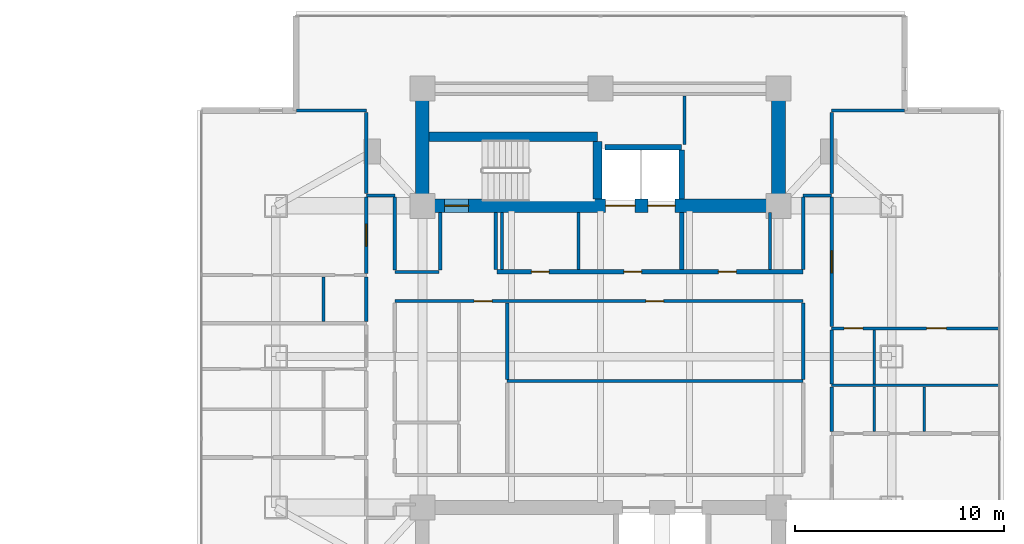
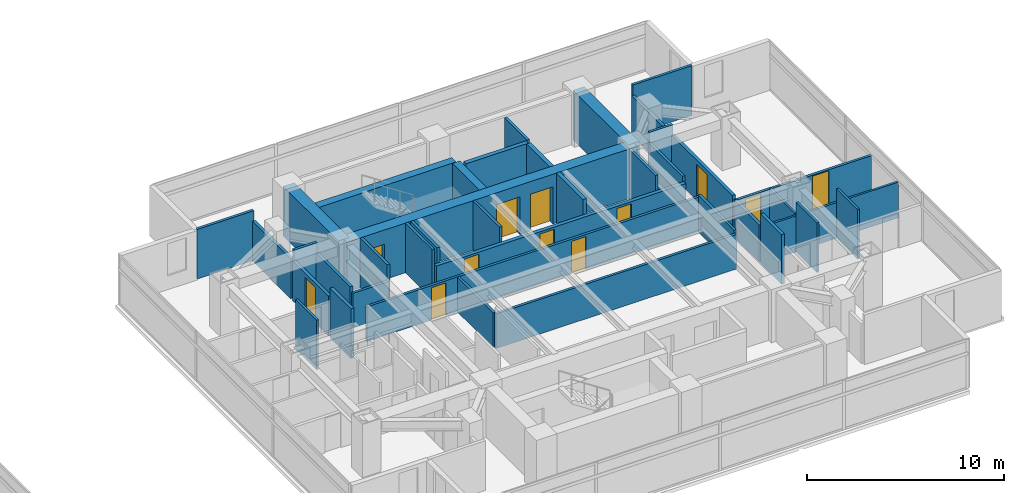
# One storey, part 19 of 26: 39 walls, 12 doors, 12 openings.
"""IFC4 building model written with IfcOpenShell, lengths in metres."""

from ifc_helpers import new_model, si_unit, direction, frame, frame_2d, origin, place, context, subcontext, project, spatial, rectangle, extrude, material, layer, layer_set, type_object, element, fill, save


model = new_model("IFC4")

# Units and contexts
model_context = context("Model", 3, precision=1e-05, world=origin(), true_north=direction((0.0, 1.0)))
body_context = subcontext(model_context, "Body", "Model", "MODEL_VIEW")
ifc_project = project(units=[si_unit("LENGTHUNIT", "METRE"), si_unit("AREAUNIT", "SQUARE_METRE"), si_unit("VOLUMEUNIT", "CUBIC_METRE"), si_unit("PLANEANGLEUNIT", "RADIAN"), si_unit("MASSUNIT", "GRAM", prefix="KILO")], contexts=[model_context])

# Site, building, storey
site_placement = place(None, origin())
site = spatial("IfcSite", under=ifc_project, at=site_placement, CompositionType="ELEMENT")
building_placement = place(site_placement, origin())
building = spatial("IfcBuilding", under=site, at=building_placement, Name="Mirazonda Arch Towers", CompositionType="ELEMENT")
storey_placement = place(building_placement, frame((0.0, 0.0, 114.800048828125)))
storey = spatial("IfcBuildingStorey", under=building, at=storey_placement, Name="L32", CompositionType="ELEMENT", Elevation=114.800048828125)

# Walls
ifc_material_1 = material(Name="Concrete C50/60", Category="concrete")
ifc_layer_1 = layer(ifc_material_1, 0.449951171875, Name="WALL-CORE-450")
ifc_layer_set_1 = layer_set([ifc_layer_1], Name="Concrete C50/60")
wall_type_1 = type_object("IfcWallType", Name="WALL-CORE-450", PredefinedType="SHEAR", material=ifc_layer_set_1)
wall_1_placement = place(storey_placement, frame((68.320068359375, 38.5, 0.0), z_axis=(0.0, 0.0, 1.0), x_axis=(1.0, 0.0, 0.0)))
element("IfcWall", 1, at=wall_1_placement, inside=storey, type_object=wall_type_1, Name="L32 Stair Core Shear Wall 057", PredefinedType="SHEAR", context=body_context, shape_type="SweptSolid", body=[
    extrude(rectangle(XDim=8.0400390625, YDim=0.449951171875, at=frame_2d((4.02001953125, 0.0))), origin(), (0.0, 0.0, 1.0), 3.079833984375),
])
wall_2_placement = place(storey_placement, frame((76.360107421875, 35.52001953125, 0.0), z_axis=(0.0, 0.0, 1.0), x_axis=(0.0, 1.0, 0.0)))
element("IfcWall", 2, at=wall_2_placement, inside=storey, type_object=wall_type_1, Name="L32 Stair Core Shear Wall 146", PredefinedType="SHEAR", context=body_context, shape_type="SweptSolid", body=[
    extrude(rectangle(XDim=2.744873046875, YDim=0.449951171875, at=frame_2d((1.37255859375, 0.0))), origin(), (0.0, 0.0, 1.0), 3.079833984375),
])
ifc_material_2 = material(Name="Concrete C60/75", Category="concrete")
ifc_layer_2 = layer(ifc_material_2, 0.64990234375, Name="WALL-CORE-650")
ifc_layer_set_2 = layer_set([ifc_layer_2], Name="Concrete C60/75")
wall_type_2 = type_object("IfcWallType", Name="WALL-CORE-650", PredefinedType="SHEAR", material=ifc_layer_set_2)
for number, where, z_axis, x_axis, name in (
    (3, (68.0, 35.199951171875, 0.0), (0.0, 0.0, 1.0), (0.0, 1.0, 0.0), "L32 T2N-W Core Shear Wall"),
    (4, (85.0, 35.199951171875, 0.0), (0.0, 0.0, 1.0), (0.0, 1.0, 0.0), "L32 T2N-E Core Shear Wall"),
):
    element("IfcWall", number, at=place(storey_placement, frame(where, z_axis=z_axis, x_axis=x_axis)), inside=storey, type_object=wall_type_2, Name=name, PredefinedType="SHEAR", context=body_context, shape_type="SweptSolid", body=[
        extrude(rectangle(XDim=5.60009765625, YDim=0.64990234375, at=frame_2d((2.800048828125, 0.0))), origin(), (0.0, 0.0, 1.0), 3.079833984375),
    ])

# Wall, openings, doors
wall_3_placement = place(storey_placement, frame((68.0, 35.199951171875, 0.0), z_axis=(0.0, 0.0, 1.0), x_axis=(1.0, 0.0, 0.0)))
wall_3 = element("IfcWall", 5, at=wall_3_placement, inside=storey, type_object=wall_type_2, Name="L32 T2N-S Core Shear Wall", PredefinedType="SHEAR", context=body_context, shape_type="SweptSolid", body=[
    extrude(rectangle(XDim=17.0, YDim=0.64990234375, at=frame_2d((8.5, 0.0))), origin(), (0.0, 0.0, 1.0), 3.079833984375),
])
opening_1_placement = place(wall_3_placement, frame((1.06005859375, 0.0, 0.0)))
opening_1 = element("IfcOpeningElement", 6, at=opening_1_placement, cuts=wall_3, Name="Opening DR-135", PredefinedType="OPENING", context=body_context, shape_type="SweptSolid", body=[
    extrude(rectangle(XDim=1.14990234375, YDim=2.199951171875, at=frame_2d((0.574951171875, 1.10009765625))), frame((0.0, 0.3349609375, 0.0), z_axis=(0.0, -1.0, 0.0), x_axis=(1.0, 0.0, 0.0)), (0.0, 0.0, 1.0), 0.669921875),
])
opening_2_placement = place(wall_3_placement, frame((8.75, 0.0, 0.0)))
opening_2 = element("IfcOpeningElement", 7, at=opening_2_placement, cuts=wall_3, Name="Opening LD-112", PredefinedType="OPENING", context=body_context, shape_type="SweptSolid", body=[
    extrude(rectangle(XDim=1.39990234375, YDim=2.35009765625, at=frame_2d((0.699951171875, 1.175048828125))), frame((0.0, 0.3349609375, 0.0), z_axis=(0.0, -1.0, 0.0), x_axis=(1.0, 0.0, 0.0)), (0.0, 0.0, 1.0), 0.669921875),
])
opening_3_placement = place(wall_3_placement, frame((10.77001953125, 0.0, 0.0)))
opening_3 = element("IfcOpeningElement", 8, at=opening_3_placement, cuts=wall_3, Name="Opening LD-111", PredefinedType="OPENING", context=body_context, shape_type="SweptSolid", body=[
    extrude(rectangle(XDim=1.300048828125, YDim=2.300048828125, at=frame_2d((0.64990234375, 1.14990234375))), frame((0.0, 0.3349609375, 0.0), z_axis=(0.0, -1.0, 0.0), x_axis=(1.0, 0.0, 0.0)), (0.0, 0.0, 1.0), 0.669921875),
])
ifc_material_3 = material(Name="Architectural Brushed Steel S355", Category="steel")
door_type_1 = type_object("IfcDoorType", Name="DOOR-LIFT-FFL-1400", OperationType="NOTDEFINED", PredefinedType="DOOR", material=ifc_material_3)
door_1_placement = place(opening_2_placement, origin())
door_1 = element("IfcDoor", 9, at=door_1_placement, inside=storey, type_object=door_type_1, Name="L32 Lift Landing Sliding Door FFL-T2", OperationType="DOUBLE_DOOR_SLIDING", OverallHeight=2.35009765625, OverallWidth=1.39990234375, PredefinedType="DOOR", context=body_context, shape_type="SweptSolid", body=[
    extrude(rectangle(XDim=1.39990234375, YDim=2.35009765625, at=frame_2d((0.699951171875, 1.175048828125))), frame((0.0, 0.02490234375, 0.0), z_axis=(0.0, -1.0, 0.0), x_axis=(1.0, 0.0, 0.0)), (0.0, 0.0, 1.0), 0.050048828125),
])
fill(opening_2, door_1)
door_type_2 = type_object("IfcDoorType", Name="DOOR-LIFT-LAND-1300", OperationType="NOTDEFINED", PredefinedType="DOOR", material=ifc_material_3)
door_2_placement = place(opening_3_placement, origin())
door_2 = element("IfcDoor", 10, at=door_2_placement, inside=storey, type_object=door_type_2, Name="L32 Lift Landing Sliding Door SVL-T2", OperationType="DOUBLE_DOOR_SLIDING", OverallHeight=2.300048828125, OverallWidth=1.300048828125, PredefinedType="DOOR", context=body_context, shape_type="SweptSolid", body=[
    extrude(rectangle(XDim=1.300048828125, YDim=2.300048828125, at=frame_2d((0.64990234375, 1.14990234375))), frame((0.0, 0.02490234375, 0.0), z_axis=(0.0, -1.0, 0.0), x_axis=(1.0, 0.0, 0.0)), (0.0, 0.0, 1.0), 0.050048828125),
])
fill(opening_3, door_2)
door_type_3 = type_object("IfcDoorType", Name="DOOR-STAIR-FD90-1150", OperationType="NOTDEFINED", PredefinedType="DOOR", material=ifc_material_3)
door_3_placement = place(opening_1_placement, origin())
door_3 = element("IfcDoor", 11, at=door_3_placement, inside=storey, type_object=door_type_3, Name="L32 East Protected Stair North Door", OperationType="SINGLE_SWING_LEFT", OverallHeight=2.199951171875, OverallWidth=1.14990234375, PredefinedType="DOOR", context=body_context, shape_type="SweptSolid", body=[
    extrude(rectangle(XDim=1.14990234375, YDim=2.199951171875, at=frame_2d((0.574951171875, 1.10009765625))), frame((0.0, 0.02490234375, 0.0), z_axis=(0.0, -1.0, 0.0), x_axis=(1.0, 0.0, 0.0)), (0.0, 0.0, 1.0), 0.050048828125),
])
fill(opening_1, door_3)

ifc_material_4 = material(Name="Concrete C40/50", Category="concrete")
ifc_layer_3 = layer(ifc_material_4, 0.219970703125, Name="WALL-FFL-220")
ifc_layer_set_3 = layer_set([ifc_layer_3], Name="Concrete C40/50")
wall_type_3 = type_object("IfcWallType", Name="WALL-FFL-220", PredefinedType="SOLIDWALL", material=ifc_layer_set_3)
wall_4_placement = place(storey_placement, frame((71.550048828125, 32.050048828125, 0.0), z_axis=(0.0, 0.0, 1.0), x_axis=(1.0, 0.0, 0.0)))
wall_4 = element("IfcWall", 12, at=wall_4_placement, inside=storey, type_object=wall_type_3, Name="L32 Interior Partition 046", PredefinedType="SOLIDWALL", context=body_context, shape_type="SweptSolid", body=[
    extrude(rectangle(XDim=14.6298828125, YDim=0.219970703125, at=frame_2d((7.31494140625, 0.0))), origin(), (0.0, 0.0, 1.0), 2.14501953125),
])
opening_4_placement = place(wall_4_placement, frame((6.06494140625, 0.0, 0.0)))
opening_4 = element("IfcOpeningElement", 13, at=opening_4_placement, cuts=wall_4, Name="Opening DR-128", PredefinedType="OPENING", context=body_context, shape_type="SweptSolid", body=[
    extrude(rectangle(XDim=0.85009765625, YDim=2.010009765625, at=frame_2d((0.425048828125, 1.0048828125))), frame((0.0, 0.119873046875, 0.0), z_axis=(0.0, -1.0, 0.0), x_axis=(1.0, 0.0, 0.0)), (0.0, 0.0, 1.0), 0.239990234375),
])
opening_5_placement = place(wall_4_placement, frame((10.5849609375, 0.0, 0.0)))
opening_5 = element("IfcOpeningElement", 14, at=opening_5_placement, cuts=wall_4, Name="Opening DR-128", PredefinedType="OPENING", context=body_context, shape_type="SweptSolid", body=[
    extrude(rectangle(XDim=0.85009765625, YDim=2.010009765625, at=frame_2d((0.425048828125, 1.0048828125))), frame((0.0, 0.119873046875, 0.0), z_axis=(0.0, -1.0, 0.0), x_axis=(1.0, 0.0, 0.0)), (0.0, 0.0, 1.0), 0.239990234375),
])
opening_6_placement = place(wall_4_placement, frame((1.64990234375, 0.0, 0.0)))
opening_6 = element("IfcOpeningElement", 15, at=opening_6_placement, cuts=wall_4, Name="Opening DR-128", PredefinedType="OPENING", context=body_context, shape_type="SweptSolid", body=[
    extrude(rectangle(XDim=0.85009765625, YDim=2.010009765625, at=frame_2d((0.425048828125, 1.0048828125))), frame((0.0, 0.119873046875, 0.0), z_axis=(0.0, -1.0, 0.0), x_axis=(1.0, 0.0, 0.0)), (0.0, 0.0, 1.0), 0.239990234375),
])
door_type_4 = type_object("IfcDoorType", Name="DOOR-RISER-FD60-850", OperationType="NOTDEFINED", PredefinedType="DOOR", material=ifc_material_3)
door_4_placement = place(opening_4_placement, origin())
door_4 = element("IfcDoor", 16, at=door_4_placement, inside=storey, type_object=door_type_4, Name="L32 East Firefighting Lift Lobby Door", OperationType="SINGLE_SWING_RIGHT", OverallHeight=2.010009765625, OverallWidth=0.85009765625, PredefinedType="DOOR", context=body_context, shape_type="SweptSolid", body=[
    extrude(rectangle(XDim=0.85009765625, YDim=2.010009765625, at=frame_2d((0.425048828125, 1.0048828125))), frame((0.0, 0.02490234375, 0.0), z_axis=(0.0, -1.0, 0.0), x_axis=(1.0, 0.0, 0.0)), (0.0, 0.0, 1.0), 0.050048828125),
])
fill(opening_4, door_4)
door_5_placement = place(opening_5_placement, origin())
door_5 = element("IfcDoor", 17, at=door_5_placement, inside=storey, type_object=door_type_4, Name="L32 East Sky Reading Library Door", OperationType="SINGLE_SWING_LEFT", OverallHeight=2.010009765625, OverallWidth=0.85009765625, PredefinedType="DOOR", context=body_context, shape_type="SweptSolid", body=[
    extrude(rectangle(XDim=0.85009765625, YDim=2.010009765625, at=frame_2d((0.425048828125, 1.0048828125))), frame((0.0, 0.02490234375, 0.0), z_axis=(0.0, -1.0, 0.0), x_axis=(1.0, 0.0, 0.0)), (0.0, 0.0, 1.0), 0.050048828125),
])
fill(opening_5, door_5)
door_6_placement = place(opening_6_placement, origin())
door_6 = element("IfcDoor", 18, at=door_6_placement, inside=storey, type_object=door_type_4, Name="L32 Tower 2 Housekeeping & Linen Room Door", OperationType="SINGLE_SWING_RIGHT", OverallHeight=2.010009765625, OverallWidth=0.85009765625, PredefinedType="DOOR", context=body_context, shape_type="SweptSolid", body=[
    extrude(rectangle(XDim=0.85009765625, YDim=2.010009765625, at=frame_2d((0.425048828125, 1.0048828125))), frame((0.0, 0.02490234375, 0.0), z_axis=(0.0, -1.0, 0.0), x_axis=(1.0, 0.0, 0.0)), (0.0, 0.0, 1.0), 0.050048828125),
])
fill(opening_6, door_6)

# Walls
wall_5_placement = place(storey_placement, frame((80.3798828125, 32.169921875, 0.0), z_axis=(0.0, 0.0, 1.0), x_axis=(0.0, 1.0, 0.0)))
element("IfcWall", 19, at=wall_5_placement, inside=storey, type_object=wall_type_3, Name="L32 Interior Partition 148", PredefinedType="SOLIDWALL", context=body_context, shape_type="SweptSolid", body=[
    extrude(rectangle(XDim=2.7099609375, YDim=0.219970703125, at=frame_2d((1.35498046875, 0.0))), origin(), (0.0, 0.0, 1.0), 3.079833984375),
])
ifc_material_5 = material(Name="Fire-Rated Gypsum Stud Partition")
ifc_layer_4 = layer(ifc_material_5, 0.14990234375, Name="WALL-PART-CORR-150")
ifc_layer_set_4 = layer_set([ifc_layer_4], Name="Fire-Rated Gypsum Stud Partition")
wall_type_4 = type_object("IfcWallType", Name="WALL-PART-CORR-150", PredefinedType="PARTITIONING", material=ifc_layer_set_4)
wall_6_placement = place(storey_placement, frame((72.050048828125, 26.83203125, 0.0), z_axis=(0.0, 0.0, 1.0), x_axis=(1.0, 0.0, 0.0)))
element("IfcWall", 20, at=wall_6_placement, inside=storey, type_object=wall_type_4, Name="L32 Interior Partition 034", PredefinedType="PARTITIONING", context=body_context, shape_type="SweptSolid", body=[
    extrude(rectangle(XDim=14.1298828125, YDim=0.14990234375, at=frame_2d((7.06494140625, 0.0))), origin(), (0.0, 0.0, 1.0), 2.14501953125),
])

# Wall, openings, doors
wall_7_placement = place(storey_placement, frame((87.5400390625, 29.35205078125, 0.0), z_axis=(0.0, 0.0, 1.0), x_axis=(1.0, 0.0, 0.0)))
wall_7 = element("IfcWall", 21, at=wall_7_placement, inside=storey, type_object=wall_type_4, Name="L32 Interior Partition 040", PredefinedType="PARTITIONING", context=body_context, shape_type="SweptSolid", body=[
    extrude(rectangle(XDim=8.005859375, YDim=0.14990234375, at=frame_2d((4.0029296875, 0.0))), origin(), (0.0, 0.0, 1.0), 2.216064453125),
])
opening_7_placement = place(wall_7_placement, frame((4.528076171875, 0.0, 0.0)))
opening_7 = element("IfcOpeningElement", 22, at=opening_7_placement, cuts=wall_7, Name="Opening DR-104", PredefinedType="OPENING", context=body_context, shape_type="SweptSolid", body=[
    extrude(rectangle(XDim=0.949951171875, YDim=2.14990234375, at=frame_2d((0.47509765625, 1.074951171875))), frame((0.0, 0.0849609375, 0.0), z_axis=(0.0, -1.0, 0.0), x_axis=(1.0, 0.0, 0.0)), (0.0, 0.0, 1.0), 0.169921875),
])
opening_8_placement = place(wall_7_placement, frame((0.590087890625, 0.0, 0.0)))
opening_8 = element("IfcOpeningElement", 23, at=opening_8_placement, cuts=wall_7, Name="Opening DR-120", PredefinedType="OPENING", context=body_context, shape_type="SweptSolid", body=[
    extrude(rectangle(XDim=0.89990234375, YDim=2.10009765625, at=frame_2d((0.449951171875, 1.050048828125))), frame((0.0, 0.0849609375, 0.0), z_axis=(0.0, -1.0, 0.0), x_axis=(1.0, 0.0, 0.0)), (0.0, 0.0, 1.0), 0.169921875),
])
door_type_5 = type_object("IfcDoorType", Name="DOOR-ROOM-950", OperationType="NOTDEFINED", PredefinedType="DOOR", material=ifc_material_3)
door_7_placement = place(opening_7_placement, origin())
door_7 = element("IfcDoor", 24, at=door_7_placement, inside=storey, type_object=door_type_5, Name="L32 Studio 2 Galley Kitchen Door", OperationType="SINGLE_SWING_LEFT", OverallHeight=2.14990234375, OverallWidth=0.949951171875, PredefinedType="DOOR", context=body_context, shape_type="SweptSolid", body=[
    extrude(rectangle(XDim=0.949951171875, YDim=2.14990234375, at=frame_2d((0.47509765625, 1.074951171875))), frame((0.0, 0.02490234375, 0.0), z_axis=(0.0, -1.0, 0.0), x_axis=(1.0, 0.0, 0.0)), (0.0, 0.0, 1.0), 0.050048828125),
])
fill(opening_7, door_7)
door_type_6 = type_object("IfcDoorType", Name="DOOR-WC-900", OperationType="NOTDEFINED", PredefinedType="DOOR", material=ifc_material_3)
door_8_placement = place(opening_8_placement, origin())
door_8 = element("IfcDoor", 25, at=door_8_placement, inside=storey, type_object=door_type_6, Name="L32 Studio 2 Bathroom Door", OperationType="SINGLE_SWING_RIGHT", OverallHeight=2.10009765625, OverallWidth=0.89990234375, PredefinedType="DOOR", context=body_context, shape_type="SweptSolid", body=[
    extrude(rectangle(XDim=0.89990234375, YDim=2.10009765625, at=frame_2d((0.449951171875, 1.050048828125))), frame((0.0, 0.02490234375, 0.0), z_axis=(0.0, -1.0, 0.0), x_axis=(1.0, 0.0, 0.0)), (0.0, 0.0, 1.0), 0.050048828125),
])
fill(opening_8, door_8)

wall_8_placement = place(storey_placement, frame((66.679931640625, 30.64990234375, 0.0), z_axis=(0.0, 0.0, 1.0), x_axis=(1.0, 0.0, 0.0)))
wall_8 = element("IfcWall", 26, at=wall_8_placement, inside=storey, type_object=wall_type_4, Name="L32 Interior Partition 043", PredefinedType="PARTITIONING", context=body_context, shape_type="SweptSolid", body=[
    extrude(rectangle(XDim=19.5, YDim=0.14990234375, at=frame_2d((9.75, 0.0))), origin(), (0.0, 0.0, 1.0), 2.14501953125),
])
opening_9_placement = place(wall_8_placement, frame((3.794921875, 0.0, 0.0)))
opening_9 = element("IfcOpeningElement", 27, at=opening_9_placement, cuts=wall_8, Name="Opening DR-128", PredefinedType="OPENING", context=body_context, shape_type="SweptSolid", body=[
    extrude(rectangle(XDim=0.85009765625, YDim=2.010009765625, at=frame_2d((0.425048828125, 1.0048828125))), frame((0.0, 0.0849609375, 0.0), z_axis=(0.0, -1.0, 0.0), x_axis=(1.0, 0.0, 0.0)), (0.0, 0.0, 1.0), 0.169921875),
])
opening_10_placement = place(wall_8_placement, frame((11.989990234375, 0.0, 0.0)))
opening_10 = element("IfcOpeningElement", 28, at=opening_10_placement, cuts=wall_8, Name="Opening DR-128", PredefinedType="OPENING", context=body_context, shape_type="SweptSolid", body=[
    extrude(rectangle(XDim=0.85009765625, YDim=2.010009765625, at=frame_2d((0.425048828125, 1.0048828125))), frame((0.0, 0.0849609375, 0.0), z_axis=(0.0, -1.0, 0.0), x_axis=(1.0, 0.0, 0.0)), (0.0, 0.0, 1.0), 0.169921875),
])
door_9_placement = place(opening_9_placement, origin())
door_9 = element("IfcDoor", 29, at=door_9_placement, inside=storey, type_object=door_type_4, Name="L32 L32 East Courtyard Study Door", OperationType="SINGLE_SWING_RIGHT", OverallHeight=2.010009765625, OverallWidth=0.85009765625, PredefinedType="DOOR", context=body_context, shape_type="SweptSolid", body=[
    extrude(rectangle(XDim=0.85009765625, YDim=2.010009765625, at=frame_2d((0.425048828125, 1.0048828125))), frame((0.0, 0.02490234375, 0.0), z_axis=(0.0, -1.0, 0.0), x_axis=(1.0, 0.0, 0.0)), (0.0, 0.0, 1.0), 0.050048828125),
])
fill(opening_9, door_9)
door_10_placement = place(opening_10_placement, origin())
door_10 = element("IfcDoor", 30, at=door_10_placement, inside=storey, type_object=door_type_4, Name="L32 Private Dining Room Door", OperationType="SINGLE_SWING_RIGHT", OverallHeight=2.010009765625, OverallWidth=0.85009765625, PredefinedType="DOOR", context=body_context, shape_type="SweptSolid", body=[
    extrude(rectangle(XDim=0.85009765625, YDim=2.010009765625, at=frame_2d((0.425048828125, 1.0048828125))), frame((0.0, 0.02490234375, 0.0), z_axis=(0.0, -1.0, 0.0), x_axis=(1.0, 0.0, 0.0)), (0.0, 0.0, 1.0), 0.050048828125),
])
fill(opening_10, door_10)

# Walls
wall_9_placement = place(storey_placement, frame((66.679931640625, 32.050048828125, 0.0), z_axis=(0.0, 0.0, 1.0), x_axis=(1.0, 0.0, 0.0)))
element("IfcWall", 31, at=wall_9_placement, inside=storey, type_object=wall_type_4, Name="L32 Interior Partition 045", PredefinedType="PARTITIONING", context=body_context, shape_type="SweptSolid", body=[
    extrude(rectangle(XDim=2.1201171875, YDim=0.14990234375, at=frame_2d((1.06005859375, 0.0))), origin(), (0.0, 0.0, 1.0), 2.14501953125),
])
wall_10_placement = place(storey_placement, frame((65.320068359375, 35.699951171875, 0.0), z_axis=(0.0, 0.0, 1.0), x_axis=(1.0, 0.0, 0.0)))
element("IfcWall", 32, at=wall_10_placement, inside=storey, type_object=wall_type_4, Name="L32 Interior Partition 053", PredefinedType="PARTITIONING", context=body_context, shape_type="SweptSolid", body=[
    extrude(rectangle(XDim=1.35986328125, YDim=0.14990234375, at=frame_2d((0.679931640625, 0.0))), origin(), (0.0, 0.0, 1.0), 3.079833984375),
])
wall_11_placement = place(storey_placement, frame((86.179931640625, 35.699951171875, 0.0), z_axis=(0.0, 0.0, 1.0), x_axis=(1.0, 0.0, 0.0)))
element("IfcWall", 33, at=wall_11_placement, inside=storey, type_object=wall_type_4, Name="L32 Interior Partition 054", PredefinedType="PARTITIONING", context=body_context, shape_type="SweptSolid", body=[
    extrude(rectangle(XDim=1.360107421875, YDim=0.14990234375, at=frame_2d((0.68017578125, 0.0))), origin(), (0.0, 0.0, 1.0), 3.079833984375),
])
wall_12_placement = place(storey_placement, frame((61.98974609375, 39.748046875, 0.0), z_axis=(0.0, 0.0, 1.0), x_axis=(1.0, 0.0, 0.0)))
element("IfcWall", 34, at=wall_12_placement, inside=storey, type_object=wall_type_4, Name="L32 Interior Partition 058", PredefinedType="PARTITIONING", context=body_context, shape_type="SweptSolid", body=[
    extrude(rectangle(XDim=3.330322265625, YDim=0.14990234375, at=frame_2d((1.6650390625, 0.0))), origin(), (0.0, 0.0, 1.0), 3.079833984375),
])
wall_13_placement = place(storey_placement, frame((87.5400390625, 39.748046875, 0.0), z_axis=(0.0, 0.0, 1.0), x_axis=(1.0, 0.0, 0.0)))
element("IfcWall", 35, at=wall_13_placement, inside=storey, type_object=wall_type_4, Name="L32 Interior Partition 059", PredefinedType="PARTITIONING", context=body_context, shape_type="SweptSolid", body=[
    extrude(rectangle(XDim=3.47021484375, YDim=0.14990234375, at=frame_2d((1.735107421875, 0.0))), origin(), (0.0, 0.0, 1.0), 3.079833984375),
])
wall_14_placement = place(storey_placement, frame((66.679931640625, 32.135009765625, 0.0), z_axis=(0.0, 0.0, 1.0), x_axis=(0.0, 1.0, 0.0)))
element("IfcWall", 36, at=wall_14_placement, inside=storey, type_object=wall_type_4, Name="L32 Interior Partition 136", PredefinedType="PARTITIONING", context=body_context, shape_type="SweptSolid", body=[
    extrude(rectangle(XDim=3.47998046875, YDim=0.14990234375, at=frame_2d((1.739990234375, 0.0))), origin(), (0.0, 0.0, 1.0), 2.471923828125),
])
wall_15_placement = place(storey_placement, frame((68.85009765625, 32.135009765625, 0.0), z_axis=(0.0, 0.0, 1.0), x_axis=(0.0, 1.0, 0.0)))
element("IfcWall", 37, at=wall_15_placement, inside=storey, type_object=wall_type_4, Name="L32 Interior Partition 137", PredefinedType="PARTITIONING", context=body_context, shape_type="SweptSolid", body=[
    extrude(rectangle(XDim=2.744873046875, YDim=0.14990234375, at=frame_2d((1.37255859375, 0.0))), origin(), (0.0, 0.0, 1.0), 3.079833984375),
])
for number, where, z_axis, x_axis, name in (
    (38, (71.5, 32.169921875, 0.0), (0.0, 0.0, 1.0), (0.0, 1.0, 0.0), "L32 Interior Partition 140"),
    (39, (71.800048828125, 32.169921875, 0.0), (0.0, 0.0, 1.0), (0.0, 1.0, 0.0), "L32 Interior Partition 141"),
):
    element("IfcWall", number, at=place(storey_placement, frame(where, z_axis=z_axis, x_axis=x_axis)), inside=storey, type_object=wall_type_4, Name=name, PredefinedType="PARTITIONING", context=body_context, shape_type="SweptSolid", body=[
        extrude(rectangle(XDim=2.7099609375, YDim=0.14990234375, at=frame_2d((1.35498046875, 0.0))), origin(), (0.0, 0.0, 1.0), 3.079833984375),
    ])
wall_16_placement = place(storey_placement, frame((72.050048828125, 26.9169921875, 0.0), z_axis=(0.0, 0.0, 1.0), x_axis=(0.0, 1.0, 0.0)))
element("IfcWall", 40, at=wall_16_placement, inside=storey, type_object=wall_type_4, Name="L32 Interior Partition 143", PredefinedType="PARTITIONING", context=body_context, shape_type="SweptSolid", body=[
    extrude(rectangle(XDim=3.64794921875, YDim=0.14990234375, at=frame_2d((1.823974609375, 0.0))), origin(), (0.0, 0.0, 1.0), 2.14501953125),
])
wall_17_placement = place(storey_placement, frame((75.449951171875, 32.169921875, 0.0), z_axis=(0.0, 0.0, 1.0), x_axis=(0.0, 1.0, 0.0)))
element("IfcWall", 41, at=wall_17_placement, inside=storey, type_object=wall_type_4, Name="L32 Interior Partition 144", PredefinedType="PARTITIONING", context=body_context, shape_type="SweptSolid", body=[
    extrude(rectangle(XDim=2.7099609375, YDim=0.14990234375, at=frame_2d((1.35498046875, 0.0))), origin(), (0.0, 0.0, 1.0), 3.079833984375),
])
wall_18_placement = place(storey_placement, frame((80.52001953125, 38.135009765625, 0.0), z_axis=(0.0, 0.0, 1.0), x_axis=(0.0, 1.0, 0.0)))
element("IfcWall", 42, at=wall_18_placement, inside=storey, type_object=wall_type_4, Name="L32 Interior Partition 150", PredefinedType="PARTITIONING", context=body_context, shape_type="SweptSolid", body=[
    extrude(rectangle(XDim=2.31494140625, YDim=0.14990234375, at=frame_2d((1.157470703125, 0.0))), origin(), (0.0, 0.0, 1.0), 3.079833984375),
])
wall_19_placement = place(storey_placement, frame((84.60009765625, 32.169921875, 0.0), z_axis=(0.0, 0.0, 1.0), x_axis=(0.0, 1.0, 0.0)))
element("IfcWall", 43, at=wall_19_placement, inside=storey, type_object=wall_type_4, Name="L32 Interior Partition 152", PredefinedType="PARTITIONING", context=body_context, shape_type="SweptSolid", body=[
    extrude(rectangle(XDim=2.7099609375, YDim=0.14990234375, at=frame_2d((1.35498046875, 0.0))), origin(), (0.0, 0.0, 1.0), 3.079833984375),
])
wall_20_placement = place(storey_placement, frame((86.179931640625, 26.9169921875, 0.0), z_axis=(0.0, 0.0, 1.0), x_axis=(0.0, 1.0, 0.0)))
element("IfcWall", 44, at=wall_20_placement, inside=storey, type_object=wall_type_4, Name="L32 Interior Partition 155", PredefinedType="PARTITIONING", context=body_context, shape_type="SweptSolid", body=[
    extrude(rectangle(XDim=3.64794921875, YDim=0.14990234375, at=frame_2d((1.823974609375, 0.0))), origin(), (0.0, 0.0, 1.0), 2.299072265625),
])
wall_21_placement = place(storey_placement, frame((86.179931640625, 32.169921875, 0.0), z_axis=(0.0, 0.0, 1.0), x_axis=(0.0, 1.0, 0.0)))
element("IfcWall", 45, at=wall_21_placement, inside=storey, type_object=wall_type_4, Name="L32 Interior Partition 156", PredefinedType="PARTITIONING", context=body_context, shape_type="SweptSolid", body=[
    extrude(rectangle(XDim=3.445068359375, YDim=0.14990234375, at=frame_2d((1.72265625, 0.0))), origin(), (0.0, 0.0, 1.0), 2.471923828125),
])
ifc_material_6 = material(Name="Fire-Rated Gypsum Twin-Stud Assembly")
ifc_layer_5 = layer(ifc_material_6, 0.179931640625, Name="WALL-PART-DEMISE-180")
ifc_layer_set_5 = layer_set([ifc_layer_5], Name="Fire-Rated Gypsum Twin-Stud Assembly")
wall_type_5 = type_object("IfcWallType", Name="WALL-PART-DEMISE-180", PredefinedType="PARTITIONING", material=ifc_layer_set_5)
wall_22_placement = place(storey_placement, frame((65.320068359375, 29.680908203125, 0.0), z_axis=(0.0, 0.0, 1.0), x_axis=(0.0, 1.0, 0.0)))
element("IfcWall", 46, at=wall_22_placement, inside=storey, type_object=wall_type_5, Name="L32 Interior Partition 130", PredefinedType="PARTITIONING", context=body_context, shape_type="SweptSolid", body=[
    extrude(rectangle(XDim=2.130126953125, YDim=0.179931640625, at=frame_2d((1.06494140625, 0.0))), origin(), (0.0, 0.0, 1.0), 3.079833984375),
])

# Wall, opening, door
wall_23_placement = place(storey_placement, frame((65.320068359375, 31.98095703125, 0.0), z_axis=(0.0, 0.0, 1.0), x_axis=(0.0, 1.0, 0.0)))
wall_23 = element("IfcWall", 47, at=wall_23_placement, inside=storey, type_object=wall_type_5, Name="L32 Interior Partition 131", PredefinedType="PARTITIONING", context=body_context, shape_type="SweptSolid", body=[
    extrude(rectangle(XDim=3.634033203125, YDim=0.179931640625, at=frame_2d((1.81689453125, 0.0))), origin(), (0.0, 0.0, 1.0), 2.471923828125),
])
opening_11_placement = place(wall_23_placement, frame((1.2919921875, 0.0, 0.0)))
opening_11 = element("IfcOpeningElement", 48, at=opening_11_placement, cuts=wall_23, Name="Opening DR-121", PredefinedType="OPENING", context=body_context, shape_type="SweptSolid", body=[
    extrude(rectangle(XDim=1.050048828125, YDim=2.199951171875, at=frame_2d((0.52490234375, 1.10009765625))), frame((0.0, 0.099853515625, 0.0), z_axis=(0.0, -1.0, 0.0), x_axis=(1.0, 0.0, 0.0)), (0.0, 0.0, 1.0), 0.199951171875),
])
door_type_7 = type_object("IfcDoorType", Name="DOOR-SUITE-FD60-1050", OperationType="NOTDEFINED", PredefinedType="DOOR", material=ifc_material_3)
door_11_placement = place(opening_11_placement, origin())
door_11 = element("IfcDoor", 49, at=door_11_placement, inside=storey, type_object=door_type_7, Name="L32 Studio Apartment 3 Living Salon Door", OperationType="SINGLE_SWING_LEFT", OverallHeight=2.199951171875, OverallWidth=1.050048828125, PredefinedType="DOOR", context=body_context, shape_type="SweptSolid", body=[
    extrude(rectangle(XDim=1.050048828125, YDim=2.199951171875, at=frame_2d((0.52490234375, 1.10009765625))), frame((0.0, 0.02490234375, 0.0), z_axis=(0.0, -1.0, 0.0), x_axis=(1.0, 0.0, 0.0)), (0.0, 0.0, 1.0), 0.050048828125),
])
fill(opening_11, door_11)

# Walls
wall_24_placement = place(storey_placement, frame((65.320068359375, 35.784912109375, 0.0), z_axis=(0.0, 0.0, 1.0), x_axis=(0.0, 1.0, 0.0)))
element("IfcWall", 50, at=wall_24_placement, inside=storey, type_object=wall_type_5, Name="L32 Interior Partition 132", PredefinedType="PARTITIONING", context=body_context, shape_type="SweptSolid", body=[
    extrude(rectangle(XDim=3.878173828125, YDim=0.179931640625, at=frame_2d((1.93896484375, 0.0))), origin(), (0.0, 0.0, 1.0), 2.4560546875),
])
wall_25_placement = place(storey_placement, frame((87.5400390625, 24.431884765625, 0.0), z_axis=(0.0, 0.0, 1.0), x_axis=(0.0, 1.0, 0.0)))
element("IfcWall", 51, at=wall_25_placement, inside=storey, type_object=wall_type_5, Name="L32 Interior Partition 159", PredefinedType="PARTITIONING", context=body_context, shape_type="SweptSolid", body=[
    extrude(rectangle(XDim=2.127685546875, YDim=0.179931640625, at=frame_2d((1.06396484375, 0.0))), origin(), (0.0, 0.0, 1.0), 3.079833984375),
])
wall_26_placement = place(storey_placement, frame((87.5400390625, 26.70458984375, 0.0), z_axis=(0.0, 0.0, 1.0), x_axis=(0.0, 1.0, 0.0)))
element("IfcWall", 52, at=wall_26_placement, inside=storey, type_object=wall_type_5, Name="L32 Interior Partition 160", PredefinedType="PARTITIONING", context=body_context, shape_type="SweptSolid", body=[
    extrude(rectangle(XDim=2.5625, YDim=0.179931640625, at=frame_2d((1.28125, 0.0))), origin(), (0.0, 0.0, 1.0), 2.299072265625),
])

# Wall, opening, door
wall_27_placement = place(storey_placement, frame((87.5400390625, 29.43701171875, 0.0), z_axis=(0.0, 0.0, 1.0), x_axis=(0.0, 1.0, 0.0)))
wall_27 = element("IfcWall", 53, at=wall_27_placement, inside=storey, type_object=wall_type_5, Name="L32 Interior Partition 161", PredefinedType="PARTITIONING", context=body_context, shape_type="SweptSolid", body=[
    extrude(rectangle(XDim=6.177978515625, YDim=0.179931640625, at=frame_2d((3.0888671875, 0.0))), origin(), (0.0, 0.0, 1.0), 2.471923828125),
])
opening_12_placement = place(wall_27_placement, frame((2.56396484375, 0.0, 0.0)))
opening_12 = element("IfcOpeningElement", 54, at=opening_12_placement, cuts=wall_27, Name="Opening DR-121", PredefinedType="OPENING", context=body_context, shape_type="SweptSolid", body=[
    extrude(rectangle(XDim=1.050048828125, YDim=2.199951171875, at=frame_2d((0.52490234375, 1.10009765625))), frame((0.0, 0.099853515625, 0.0), z_axis=(0.0, -1.0, 0.0), x_axis=(1.0, 0.0, 0.0)), (0.0, 0.0, 1.0), 0.199951171875),
])
door_12_placement = place(opening_12_placement, origin())
door_12 = element("IfcDoor", 55, at=door_12_placement, inside=storey, type_object=door_type_7, Name="L32 Studio Apartment 2 Living Salon Door", OperationType="SINGLE_SWING_RIGHT", OverallHeight=2.199951171875, OverallWidth=1.050048828125, PredefinedType="DOOR", context=body_context, shape_type="SweptSolid", body=[
    extrude(rectangle(XDim=1.050048828125, YDim=2.199951171875, at=frame_2d((0.52490234375, 1.10009765625))), frame((0.0, 0.02490234375, 0.0), z_axis=(0.0, -1.0, 0.0), x_axis=(1.0, 0.0, 0.0)), (0.0, 0.0, 1.0), 0.050048828125),
])
fill(opening_12, door_12)

# Walls
wall_28_placement = place(storey_placement, frame((87.5400390625, 35.784912109375, 0.0), z_axis=(0.0, 0.0, 1.0), x_axis=(0.0, 1.0, 0.0)))
element("IfcWall", 56, at=wall_28_placement, inside=storey, type_object=wall_type_5, Name="L32 Interior Partition 162", PredefinedType="PARTITIONING", context=body_context, shape_type="SweptSolid", body=[
    extrude(rectangle(XDim=3.878173828125, YDim=0.179931640625, at=frame_2d((1.93896484375, 0.0))), origin(), (0.0, 0.0, 1.0), 2.4560546875),
])
ifc_material_7 = material(Name="Acoustic Fire-Rated Gypsum Partition")
ifc_layer_6 = layer(ifc_material_7, 0.125, Name="WALL-PART-UNIT-125")
ifc_layer_set_6 = layer_set([ifc_layer_6], Name="Acoustic Fire-Rated Gypsum Partition")
wall_type_6 = type_object("IfcWallType", Name="WALL-PART-UNIT-125", PredefinedType="PARTITIONING", material=ifc_layer_set_6)
wall_29_placement = place(storey_placement, frame((87.5400390625, 26.632080078125, 0.0), z_axis=(0.0, 0.0, 1.0), x_axis=(1.0, 0.0, 0.0)))
element("IfcWall", 57, at=wall_29_placement, inside=storey, type_object=wall_type_6, Name="L32 Interior Partition 032", PredefinedType="PARTITIONING", context=body_context, shape_type="SweptSolid", body=[
    extrude(rectangle(XDim=8.005859375, YDim=0.125, at=frame_2d((4.0029296875, 0.0))), origin(), (0.0, 0.0, 1.0), 2.216064453125),
])
wall_30_placement = place(storey_placement, frame((63.280029296875, 29.680908203125, 0.0), z_axis=(0.0, 0.0, 1.0), x_axis=(0.0, 1.0, 0.0)))
element("IfcWall", 58, at=wall_30_placement, inside=storey, type_object=wall_type_6, Name="L32 Interior Partition 124", PredefinedType="PARTITIONING", context=body_context, shape_type="SweptSolid", body=[
    extrude(rectangle(XDim=2.130126953125, YDim=0.125, at=frame_2d((1.06494140625, 0.0))), origin(), (0.0, 0.0, 1.0), 3.079833984375),
])
wall_31_placement = place(storey_placement, frame((89.580078125, 24.431884765625, 0.0), z_axis=(0.0, 0.0, 1.0), x_axis=(0.0, 1.0, 0.0)))
element("IfcWall", 59, at=wall_31_placement, inside=storey, type_object=wall_type_6, Name="L32 Interior Partition 163", PredefinedType="PARTITIONING", context=body_context, shape_type="SweptSolid", body=[
    extrude(rectangle(XDim=2.127685546875, YDim=0.125, at=frame_2d((1.06396484375, 0.0))), origin(), (0.0, 0.0, 1.0), 3.079833984375),
])
wall_32_placement = place(storey_placement, frame((89.580078125, 26.70458984375, 0.0), z_axis=(0.0, 0.0, 1.0), x_axis=(0.0, 1.0, 0.0)))
element("IfcWall", 60, at=wall_32_placement, inside=storey, type_object=wall_type_6, Name="L32 Interior Partition 164", PredefinedType="PARTITIONING", context=body_context, shape_type="SweptSolid", body=[
    extrude(rectangle(XDim=2.5625, YDim=0.125, at=frame_2d((1.28125, 0.0))), origin(), (0.0, 0.0, 1.0), 2.299072265625),
])
wall_33_placement = place(storey_placement, frame((91.966064453125, 24.431884765625, 0.0), z_axis=(0.0, 0.0, 1.0), x_axis=(0.0, 1.0, 0.0)))
element("IfcWall", 61, at=wall_33_placement, inside=storey, type_object=wall_type_6, Name="L32 Interior Partition 165", PredefinedType="PARTITIONING", context=body_context, shape_type="SweptSolid", body=[
    extrude(rectangle(XDim=2.127685546875, YDim=0.125, at=frame_2d((1.06396484375, 0.0))), origin(), (0.0, 0.0, 1.0), 3.079833984375),
])
ifc_layer_7 = layer(ifc_material_4, 0.25, Name="WALL-SHAFT-250")
ifc_layer_set_7 = layer_set([ifc_layer_7], Name="Concrete C40/50")
wall_type_7 = type_object("IfcWallType", Name="WALL-SHAFT-250", PredefinedType="SOLIDWALL", material=ifc_layer_set_7)
wall_34_placement = place(storey_placement, frame((76.719970703125, 38.0, 0.0), z_axis=(0.0, 0.0, 1.0), x_axis=(1.0, 0.0, 0.0)))
element("IfcWall", 62, at=wall_34_placement, inside=storey, type_object=wall_type_7, Name="L32 Interior Partition 056", PredefinedType="SOLIDWALL", context=body_context, shape_type="SweptSolid", body=[
    extrude(rectangle(XDim=3.659912109375, YDim=0.25, at=frame_2d((1.830078125, 0.0))), origin(), (0.0, 0.0, 1.0), 3.079833984375),
])
wall_35_placement = place(storey_placement, frame((80.3798828125, 35.52001953125, 0.0), z_axis=(0.0, 0.0, 1.0), x_axis=(0.0, 1.0, 0.0)))
element("IfcWall", 63, at=wall_35_placement, inside=storey, type_object=wall_type_7, Name="L32 Interior Partition 149", PredefinedType="SOLIDWALL", context=body_context, shape_type="SweptSolid", body=[
    extrude(rectangle(XDim=2.344970703125, YDim=0.25, at=frame_2d((1.17236328125, 0.0))), origin(), (0.0, 0.0, 1.0), 3.079833984375),
])

save(model, "model.ifc")
